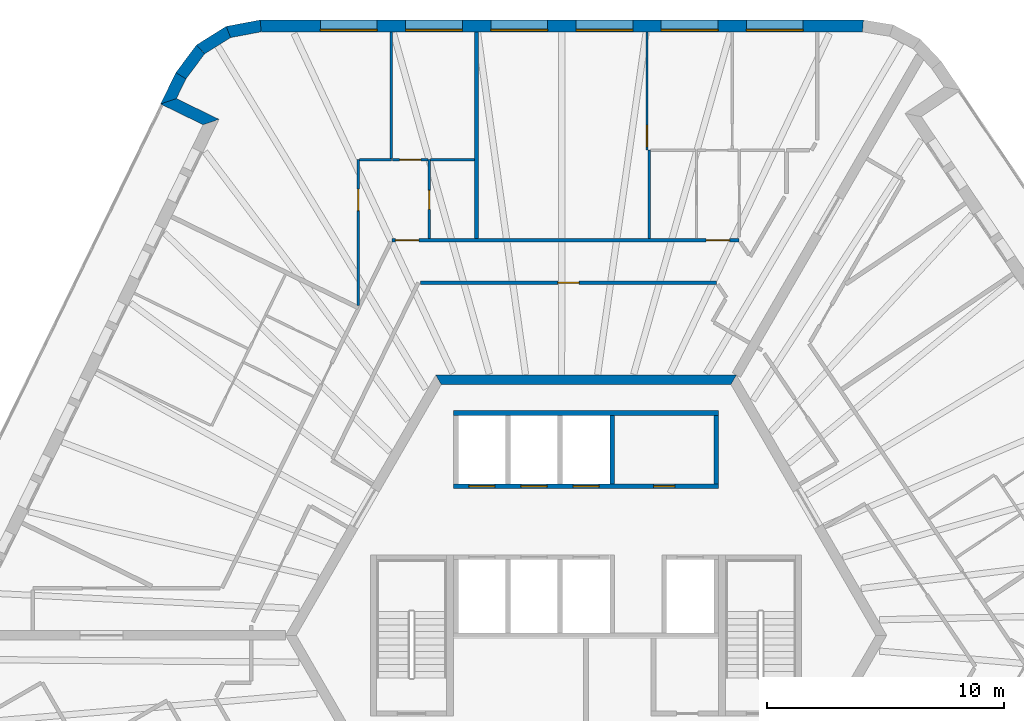
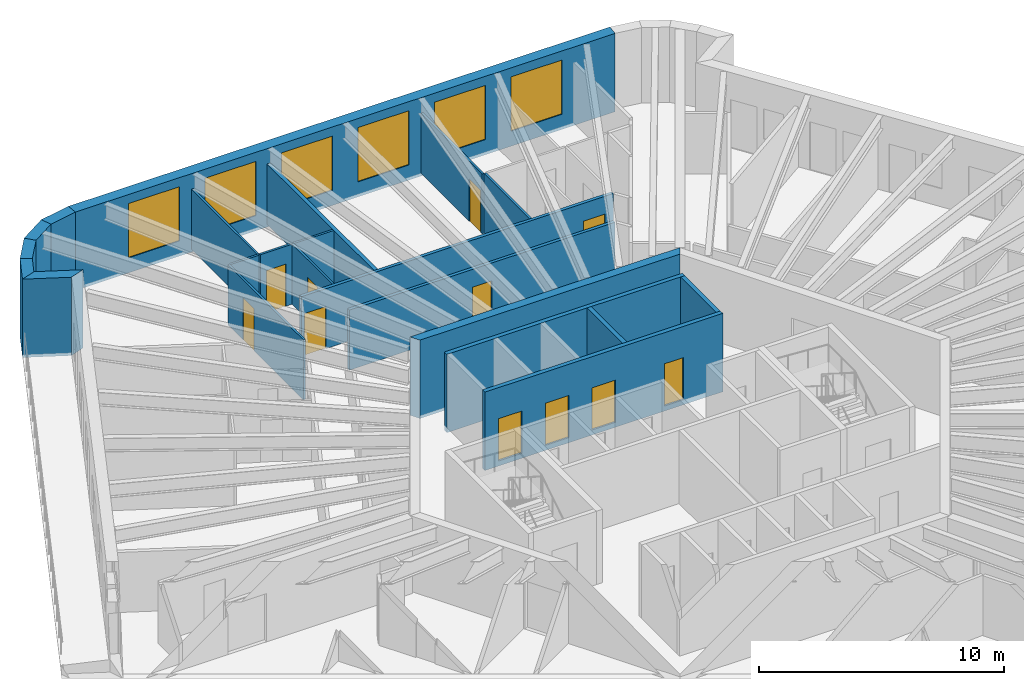
# One storey, part 9 of 12: 22 walls, 11 doors, 6 windows, 17 openings.
"""IFC4 building model written with IfcOpenShell, lengths in metres."""

from ifc_helpers import new_model, si_unit, direction, frame, frame_2d, origin, place, context, subcontext, project, spatial, polyline, rectangle, outline, extrude, material, layer, layer_set, type_object, element, fill, save


model = new_model("IFC4")

# Units and contexts
model_context = context("Model", 3, precision=1e-05, world=origin(), true_north=direction((0.0, 1.0)))
body_context = subcontext(model_context, "Body", "Model", "MODEL_VIEW")
ifc_project = project(units=[si_unit("LENGTHUNIT", "METRE"), si_unit("AREAUNIT", "SQUARE_METRE"), si_unit("VOLUMEUNIT", "CUBIC_METRE"), si_unit("PLANEANGLEUNIT", "RADIAN"), si_unit("MASSUNIT", "GRAM", prefix="KILO")], contexts=[model_context])

# Site, building, storey
site_placement = place(None, origin())
site = spatial("IfcSite", under=ifc_project, at=site_placement, CompositionType="ELEMENT")
building_placement = place(site_placement, origin())
building = spatial("IfcBuilding", under=site, at=building_placement, Name="Tarnside Tower", CompositionType="ELEMENT")
storey_placement = place(building_placement, frame((0.0, 0.0, 318.60009765625)))
storey = spatial("IfcBuildingStorey", under=building, at=storey_placement, Name="L77", CompositionType="ELEMENT", Elevation=318.60009765625)

# Wall
ifc_material_1 = material(Name="Gypsum board partition on steel studs", Category="steel")
ifc_layer_1 = layer(ifc_material_1, 0.10009765625)
ifc_layer_set_1 = layer_set([ifc_layer_1], Name="Bathroom wall 100")
wall_type_1 = type_object("IfcWallType", Name="Bathroom wall 100", PredefinedType="PARTITIONING", material=ifc_layer_set_1)
wall_1_placement = place(storey_placement, frame((2.6669921875, 16.77490234375, 0.0), z_axis=(0.0, 0.0, 1.0), x_axis=(0.0, 1.0, 0.0)))
element("IfcWall", 1, at=wall_1_placement, inside=storey, type_object=wall_type_1, Name="Bathroom wall 25085", PredefinedType="PARTITIONING", context=body_context, shape_type="SweptSolid", body=[
    extrude(rectangle(XDim=3.72509765625, YDim=0.10009765625, at=frame_2d((1.862548828125, 0.0))), origin(), (0.0, 0.0, 1.0), 2.98779296875),
])

# Wall, opening, door
wall_2_placement = place(storey_placement, frame((-6.624755859375, 16.77490234375, 0.0), z_axis=(0.0, 0.0, 1.0), x_axis=(0.0, 1.0, 0.0)))
wall_2 = element("IfcWall", 2, at=wall_2_placement, inside=storey, type_object=wall_type_1, Name="Bathroom wall 25101", PredefinedType="PARTITIONING", context=body_context, shape_type="SweptSolid", body=[
    extrude(rectangle(XDim=3.3251953125, YDim=0.10009765625, at=frame_2d((1.66259765625, 0.0))), origin(), (0.0, 0.0, 1.0), 2.98779296875),
])
opening_1_placement = place(wall_2_placement, frame((1.22509765625, 0.0, 0.0)))
opening_1 = element("IfcOpeningElement", 3, at=opening_1_placement, cuts=wall_2, Name="Opening D-B1", PredefinedType="OPENING", context=body_context, shape_type="SweptSolid", body=[
    extrude(rectangle(XDim=0.800048828125, YDim=2.10009765625, at=frame_2d((0.39990234375, 1.050048828125))), frame((0.0, 0.06005859375, 0.0), z_axis=(0.0, -1.0, 0.0), x_axis=(1.0, 0.0, 0.0)), (0.0, 0.0, 1.0), 0.1201171875),
])
ifc_material_2 = material(Name="Timber door leaf", Category="wood")
door_type_1 = type_object("IfcDoorType", Name="Bathroom door 800", OperationType="NOTDEFINED", PredefinedType="DOOR", material=ifc_material_2)
door_1_placement = place(opening_1_placement, origin())
door_1 = element("IfcDoor", 4, at=door_1_placement, inside=storey, type_object=door_type_1, Name="Bathroom door 25013", OperationType="SINGLE_SWING_RIGHT", OverallHeight=2.10009765625, OverallWidth=0.800048828125, PredefinedType="DOOR", context=body_context, shape_type="SweptSolid", body=[
    extrude(rectangle(XDim=0.800048828125, YDim=2.10009765625, at=frame_2d((0.39990234375, 1.050048828125))), frame((0.0, 0.02490234375, 0.0), z_axis=(0.0, -1.0, 0.0), x_axis=(1.0, 0.0, 0.0)), (0.0, 0.0, 1.0), 0.050048828125),
])
fill(opening_1, door_1)

# Walls
wall_3_placement = place(storey_placement, frame((-4.71484375, 20.10009765625, 0.0), z_axis=(0.0, 0.0, 1.0), x_axis=(-1.0, 0.0, 0.0)))
element("IfcWall", 5, at=wall_3_placement, inside=storey, type_object=wall_type_1, Name="Bathroom wall 25103", PredefinedType="PARTITIONING", context=body_context, shape_type="SweptSolid", body=[
    extrude(rectangle(XDim=1.862060546875, YDim=0.10009765625, at=frame_2d((0.93115234375, 0.0))), origin(), (0.0, 0.0, 1.0), 2.98779296875),
])
ifc_material_3 = material(Name="Concrete C60/75", Category="concrete")
ifc_layer_2 = layer(ifc_material_3, 0.39990234375)
ifc_layer_set_2 = layer_set([ifc_layer_2], Name="Core wall Z3 400 C60/75")
wall_type_2 = type_object("IfcWallType", Name="Core wall Z3 400 C60/75", PredefinedType="SHEAR", material=ifc_layer_set_2)
wall_4_placement = place(storey_placement, frame((6.2353515625, 10.800048828125, -0.150146484375), z_axis=(0.0, 0.0, 1.0), x_axis=(-1.0, 0.0, 0.0)))
element("IfcWall", 6, at=wall_4_placement, inside=storey, type_object=wall_type_2, Name="L77 core wall face 1", PredefinedType="SHEAR", context=body_context, shape_type="SweptSolid", body=[
    extrude(outline(polyline([(-0.115478515625, -0.199951171875), (12.586181640625, -0.199951171875), (12.355224609375, 0.199951171875), (0.115478515625, 0.199951171875), (-0.115478515625, -0.199951171875)])), origin(), (0.0, 0.0, 1.0), 3.900146484375),
])

# Wall, openings, doors
ifc_layer_3 = layer(ifc_material_1, 0.14990234375)
ifc_layer_set_3 = layer_set([ifc_layer_3], Name="Corridor wall 150 EI 60")
wall_type_3 = type_object("IfcWallType", Name="Corridor wall 150 EI 60", PredefinedType="PARTITIONING", material=ifc_layer_set_3)
wall_5_placement = place(storey_placement, frame((6.467041015625, 16.699951171875, 0.0), z_axis=(0.0, 0.0, 1.0), x_axis=(-1.0, 0.0, 0.0)))
wall_5 = element("IfcWall", 7, at=wall_5_placement, inside=storey, type_object=wall_type_3, Name="Corridor wall 25001", PredefinedType="PARTITIONING", context=body_context, shape_type="SweptSolid", body=[
    extrude(rectangle(XDim=14.67724609375, YDim=0.14990234375, at=frame_2d((7.338623046875, 0.0))), origin(), (0.0, 0.0, 1.0), 2.98779296875),
])
opening_2_placement = place(wall_5_placement, frame((0.39990234375, 0.0, 0.0)))
opening_2 = element("IfcOpeningElement", 8, at=opening_2_placement, cuts=wall_5, Name="Opening D-E1", PredefinedType="OPENING", context=body_context, shape_type="SweptSolid", body=[
    extrude(rectangle(XDim=1.0, YDim=2.10009765625, at=frame_2d((0.5, 1.050048828125))), frame((0.0, 0.0849609375, 0.0), z_axis=(0.0, -1.0, 0.0), x_axis=(1.0, 0.0, 0.0)), (0.0, 0.0, 1.0), 0.169921875),
])
opening_3_placement = place(wall_5_placement, frame((13.527099609375, 0.0, 0.0)))
opening_3 = element("IfcOpeningElement", 9, at=opening_3_placement, cuts=wall_5, Name="Opening D-E1", PredefinedType="OPENING", context=body_context, shape_type="SweptSolid", body=[
    extrude(rectangle(XDim=1.0, YDim=2.10009765625, at=frame_2d((0.5, 1.050048828125))), frame((0.0, 0.0849609375, 0.0), z_axis=(0.0, -1.0, 0.0), x_axis=(1.0, 0.0, 0.0)), (0.0, 0.0, 1.0), 0.169921875),
])
door_type_2 = type_object("IfcDoorType", Name="Unit entrance door 1000 FD30S", OperationType="NOTDEFINED", PredefinedType="DOOR", material=ifc_material_2)
door_2_placement = place(opening_2_placement, origin())
door_2 = element("IfcDoor", 10, at=door_2_placement, inside=storey, type_object=door_type_2, Name="Unit door 25001", OperationType="SINGLE_SWING_RIGHT", OverallHeight=2.10009765625, OverallWidth=1.0, PredefinedType="DOOR", context=body_context, shape_type="SweptSolid", body=[
    extrude(rectangle(XDim=1.0, YDim=2.10009765625, at=frame_2d((0.5, 1.050048828125))), frame((0.0, 0.02490234375, 0.0), z_axis=(0.0, -1.0, 0.0), x_axis=(1.0, 0.0, 0.0)), (0.0, 0.0, 1.0), 0.050048828125),
])
fill(opening_2, door_2)
door_3_placement = place(opening_3_placement, origin())
door_3 = element("IfcDoor", 11, at=door_3_placement, inside=storey, type_object=door_type_2, Name="Unit door 25012", OperationType="SINGLE_SWING_LEFT", OverallHeight=2.10009765625, OverallWidth=1.0, PredefinedType="DOOR", context=body_context, shape_type="SweptSolid", body=[
    extrude(rectangle(XDim=1.0, YDim=2.10009765625, at=frame_2d((0.5, 1.050048828125))), frame((0.0, 0.02490234375, 0.0), z_axis=(0.0, -1.0, 0.0), x_axis=(1.0, 0.0, 0.0)), (0.0, 0.0, 1.0), 0.050048828125),
])
fill(opening_3, door_3)

# Wall, opening, door
wall_6_placement = place(storey_placement, frame((-7.001953125, 14.89990234375, 0.0), z_axis=(0.0, 0.0, 1.0), x_axis=(1.0, 0.0, 0.0)))
wall_6 = element("IfcWall", 12, at=wall_6_placement, inside=storey, type_object=wall_type_3, Name="Corridor wall 25021", PredefinedType="PARTITIONING", context=body_context, shape_type="SweptSolid", body=[
    extrude(rectangle(XDim=12.511962890625, YDim=0.14990234375, at=frame_2d((6.255859375, 0.0))), origin(), (0.0, 0.0, 1.0), 2.98779296875),
])
opening_4_placement = place(wall_6_placement, frame((5.805908203125, 0.0, 0.0)))
opening_4 = element("IfcOpeningElement", 13, at=opening_4_placement, cuts=wall_6, Name="Opening D-S1", PredefinedType="OPENING", context=body_context, shape_type="SweptSolid", body=[
    extrude(rectangle(XDim=0.89990234375, YDim=2.10009765625, at=frame_2d((0.449951171875, 1.050048828125))), frame((0.0, 0.0849609375, 0.0), z_axis=(0.0, -1.0, 0.0), x_axis=(1.0, 0.0, 0.0)), (0.0, 0.0, 1.0), 0.169921875),
])
door_type_3 = type_object("IfcDoorType", Name="Service room door 900 FD30S", OperationType="NOTDEFINED", PredefinedType="DOOR", material=ifc_material_2)
door_4_placement = place(opening_4_placement, origin())
door_4 = element("IfcDoor", 14, at=door_4_placement, inside=storey, type_object=door_type_3, Name="Service door 25071", OperationType="SINGLE_SWING_LEFT", OverallHeight=2.10009765625, OverallWidth=0.89990234375, PredefinedType="DOOR", context=body_context, shape_type="SweptSolid", body=[
    extrude(rectangle(XDim=0.89990234375, YDim=2.10009765625, at=frame_2d((0.449951171875, 1.050048828125))), frame((0.0, 0.02490234375, 0.0), z_axis=(0.0, -1.0, 0.0), x_axis=(1.0, 0.0, 0.0)), (0.0, 0.0, 1.0), 0.050048828125),
])
fill(opening_4, door_4)

# Wall
ifc_layer_4 = layer(ifc_material_1, 0.179931640625)
ifc_layer_set_4 = layer_set([ifc_layer_4], Name="Demising wall 180 EI 60")
wall_type_4 = type_object("IfcWallType", Name="Demising wall 180 EI 60", PredefinedType="PARTITIONING", material=ifc_layer_set_4)
wall_7_placement = place(storey_placement, frame((-4.624755859375, 25.5, 0.0), z_axis=(0.0, 0.0, 1.0), x_axis=(0.0, -1.0, 0.0)))
element("IfcWall", 15, at=wall_7_placement, inside=storey, type_object=wall_type_4, Name="Demising wall 25087", PredefinedType="PARTITIONING", context=body_context, shape_type="SweptSolid", body=[
    extrude(rectangle(XDim=8.72509765625, YDim=0.179931640625, at=frame_2d((4.362548828125, 0.0))), origin(), (0.0, 0.0, 1.0), 2.98779296875),
])

# Wall, openings, doors
ifc_material_4 = material(Name="Concrete C40/50", Category="concrete")
ifc_layer_5 = layer(ifc_material_4, 0.199951171875)
ifc_layer_set_5 = layer_set([ifc_layer_5], Name="Lift shaft wall 200 C40/50")
wall_type_5 = type_object("IfcWallType", Name="Lift shaft wall 200 C40/50", PredefinedType="SHEAR", material=ifc_layer_set_5)
wall_8_placement = place(storey_placement, frame((-5.60009765625, 6.300048828125, -0.25), z_axis=(0.0, 0.0, 1.0), x_axis=(1.0, 0.0, 0.0)))
wall_8 = element("IfcWall", 16, at=wall_8_placement, inside=storey, type_object=wall_type_5, Name="L77 lift shaft front wall R1", PredefinedType="SHEAR", context=body_context, shape_type="SweptSolid", body=[
    extrude(rectangle(XDim=11.2001953125, YDim=0.199951171875, at=frame_2d((5.60009765625, 0.0))), origin(), (0.0, 0.0, 1.0), 3.89990234375),
])
opening_5_placement = place(wall_8_placement, frame((8.449951171875, 0.0, 0.25)))
opening_5 = element("IfcOpeningElement", 17, at=opening_5_placement, cuts=wall_8, Name="Opening CD-room", PredefinedType="OPENING", context=body_context, shape_type="SweptSolid", body=[
    extrude(rectangle(XDim=0.89990234375, YDim=2.10009765625, at=frame_2d((0.449951171875, 1.050048828125))), frame((0.0, 0.10986328125, 0.0), z_axis=(0.0, -1.0, 0.0), x_axis=(1.0, 0.0, 0.0)), (0.0, 0.0, 1.0), 0.219970703125),
])
opening_6_placement = place(wall_8_placement, frame((0.64990234375, 0.0, 0.25)))
opening_6 = element("IfcOpeningElement", 18, at=opening_6_placement, cuts=wall_8, Name="Opening LD", PredefinedType="OPENING", context=body_context, shape_type="SweptSolid", body=[
    extrude(rectangle(XDim=1.10009765625, YDim=2.10009765625, at=frame_2d((0.550048828125, 1.050048828125))), frame((0.0, 0.10986328125, 0.0), z_axis=(0.0, -1.0, 0.0), x_axis=(1.0, 0.0, 0.0)), (0.0, 0.0, 1.0), 0.219970703125),
])
opening_7_placement = place(wall_8_placement, frame((2.85009765625, 0.0, 0.25)))
opening_7 = element("IfcOpeningElement", 19, at=opening_7_placement, cuts=wall_8, Name="Opening LD", PredefinedType="OPENING", context=body_context, shape_type="SweptSolid", body=[
    extrude(rectangle(XDim=1.10009765625, YDim=2.10009765625, at=frame_2d((0.550048828125, 1.050048828125))), frame((0.0, 0.10986328125, 0.0), z_axis=(0.0, -1.0, 0.0), x_axis=(1.0, 0.0, 0.0)), (0.0, 0.0, 1.0), 0.219970703125),
])
opening_8_placement = place(wall_8_placement, frame((5.050048828125, 0.0, 0.25)))
opening_8 = element("IfcOpeningElement", 20, at=opening_8_placement, cuts=wall_8, Name="Opening LD", PredefinedType="OPENING", context=body_context, shape_type="SweptSolid", body=[
    extrude(rectangle(XDim=1.10009765625, YDim=2.10009765625, at=frame_2d((0.550048828125, 1.050048828125))), frame((0.0, 0.10986328125, 0.0), z_axis=(0.0, -1.0, 0.0), x_axis=(1.0, 0.0, 0.0)), (0.0, 0.0, 1.0), 0.219970703125),
])
ifc_material_5 = material(Name="Stainless steel", Category="steel")
door_type_4 = type_object("IfcDoorType", Name="Lift landing door 1100x2100", OperationType="NOTDEFINED", PredefinedType="DOOR", material=ifc_material_5)
door_5_placement = place(opening_6_placement, origin())
door_5 = element("IfcDoor", 21, at=door_5_placement, inside=storey, type_object=door_type_4, Name="High-rise lift 1 landing door L77", OperationType="SLIDING_TO_LEFT", OverallHeight=2.10009765625, OverallWidth=1.10009765625, PredefinedType="DOOR", context=body_context, shape_type="SweptSolid", body=[
    extrude(rectangle(XDim=1.10009765625, YDim=2.10009765625, at=frame_2d((0.550048828125, 1.050048828125))), frame((0.0, 0.02490234375, 0.0), z_axis=(0.0, -1.0, 0.0), x_axis=(1.0, 0.0, 0.0)), (0.0, 0.0, 1.0), 0.050048828125),
])
fill(opening_6, door_5)
door_6_placement = place(opening_7_placement, origin())
door_6 = element("IfcDoor", 22, at=door_6_placement, inside=storey, type_object=door_type_4, Name="High-rise lift 2 landing door L77", OperationType="SLIDING_TO_LEFT", OverallHeight=2.10009765625, OverallWidth=1.10009765625, PredefinedType="DOOR", context=body_context, shape_type="SweptSolid", body=[
    extrude(rectangle(XDim=1.10009765625, YDim=2.10009765625, at=frame_2d((0.550048828125, 1.050048828125))), frame((0.0, 0.02490234375, 0.0), z_axis=(0.0, -1.0, 0.0), x_axis=(1.0, 0.0, 0.0)), (0.0, 0.0, 1.0), 0.050048828125),
])
fill(opening_7, door_6)
door_7_placement = place(opening_8_placement, origin())
door_7 = element("IfcDoor", 23, at=door_7_placement, inside=storey, type_object=door_type_4, Name="High-rise lift 3 landing door L77", OperationType="SLIDING_TO_LEFT", OverallHeight=2.10009765625, OverallWidth=1.10009765625, PredefinedType="DOOR", context=body_context, shape_type="SweptSolid", body=[
    extrude(rectangle(XDim=1.10009765625, YDim=2.10009765625, at=frame_2d((0.550048828125, 1.050048828125))), frame((0.0, 0.02490234375, 0.0), z_axis=(0.0, -1.0, 0.0), x_axis=(1.0, 0.0, 0.0)), (0.0, 0.0, 1.0), 0.050048828125),
])
fill(opening_8, door_7)
ifc_material_6 = material(Name="Steel fire door", Category="steel")
door_type_5 = type_object("IfcDoorType", Name="Room door FD60 900x2100", OperationType="NOTDEFINED", PredefinedType="DOOR", material=ifc_material_6)
door_8_placement = place(opening_5_placement, origin())
door_8 = element("IfcDoor", 24, at=door_8_placement, inside=storey, type_object=door_type_5, Name="L77 core room door FC1", OperationType="SINGLE_SWING_LEFT", OverallHeight=2.10009765625, OverallWidth=0.89990234375, PredefinedType="DOOR", context=body_context, shape_type="SweptSolid", body=[
    extrude(rectangle(XDim=0.89990234375, YDim=2.10009765625, at=frame_2d((0.449951171875, 1.050048828125))), frame((0.0, 0.02490234375, 0.0), z_axis=(0.0, -1.0, 0.0), x_axis=(1.0, 0.0, 0.0)), (0.0, 0.0, 1.0), 0.050048828125),
])
fill(opening_5, door_8)

# Walls
wall_9_placement = place(storey_placement, frame((-5.60009765625, 9.39990234375, -0.25), z_axis=(0.0, 0.0, 1.0), x_axis=(1.0, 0.0, 0.0)))
element("IfcWall", 25, at=wall_9_placement, inside=storey, type_object=wall_type_5, Name="L77 lift shaft back wall R1", PredefinedType="SHEAR", context=body_context, shape_type="SweptSolid", body=[
    extrude(rectangle(XDim=11.2001953125, YDim=0.199951171875, at=frame_2d((5.60009765625, 0.0))), origin(), (0.0, 0.0, 1.0), 3.89990234375),
])
for number, where, z_axis, x_axis, name in (
    (26, (1.10009765625, 6.39990234375, -0.25), (0.0, 0.0, 1.0), (0.0, 1.0, 0.0), "L77 lift shaft partition R14"),
    (27, (5.5, 6.39990234375, -0.25), (0.0, 0.0, 1.0), (0.0, 1.0, 0.0), "L77 lift shaft partition R16"),
):
    element("IfcWall", number, at=place(storey_placement, frame(where, z_axis=z_axis, x_axis=x_axis)), inside=storey, type_object=wall_type_5, Name=name, PredefinedType="SHEAR", context=body_context, shape_type="SweptSolid", body=[
        extrude(rectangle(XDim=2.900146484375, YDim=0.199951171875, at=frame_2d((1.4501953125, 0.0))), origin(), (0.0, 0.0, 1.0), 3.89990234375),
    ])
ifc_material_7 = material(Name="Dark zinc cladding")
ifc_layer_6 = layer(ifc_material_7, 0.10205078125)
ifc_material_8 = material(Name="Concrete C60/75 precast", Category="concrete")
ifc_layer_7 = layer(ifc_material_8, 0.298095703125)
ifc_material_9 = material(Name="Mineral wool insulation")
ifc_layer_8 = layer(ifc_material_9, 0.10009765625)
ifc_layer_set_6 = layer_set([ifc_layer_6, ifc_layer_7, ifc_layer_8], Name="Loggia wall 500 zinc faced")
wall_type_6 = type_object("IfcWallType", Name="Loggia wall 500 zinc faced", PredefinedType="SOLIDWALL", material=ifc_layer_set_6)
wall_10_placement = place(storey_placement, frame((-17.11767578125, 23.643798828125, -0.150146484375), z_axis=(0.0, 0.0, 1.0), x_axis=(-0.438319390103, -0.898819287877, 0.0)))
element("IfcWall", 28, at=wall_10_placement, inside=storey, type_object=wall_type_6, Name="Tube wall L77 F2 stub 04", PredefinedType="SOLIDWALL", context=body_context, shape_type="SweptSolid", body=[
    extrude(outline(polyline([(-0.0234375, -0.25), (1.44970703125, -0.25), (0.94970703125, 0.25), (0.0234375, 0.25), (-0.0234375, -0.25)])), origin(), (0.0, 0.0, 1.0), 3.900146484375),
])
wall_11_placement = place(storey_placement, frame((-17.6435546875, 22.5654296875, -0.150146484375), z_axis=(0.0, 0.0, 1.0), x_axis=(0.898754367686, -0.43845249066, 0.0)))
element("IfcWall", 29, at=wall_11_placement, inside=storey, type_object=wall_type_6, Name="Tube wall L77 F2 return 05", PredefinedType="SOLIDWALL", context=body_context, shape_type="SweptSolid", body=[
    extrude(outline(polyline([(-0.25, -0.25), (1.75, -0.25), (2.25, 0.25), (0.25, 0.25), (-0.25, -0.25)])), origin(), (0.0, 0.0, 1.0), 3.900146484375),
])

# Wall, opening, door
ifc_layer_9 = layer(ifc_material_1, 0.10009765625)
ifc_layer_set_7 = layer_set([ifc_layer_9], Name="Partition 100")
wall_type_7 = type_object("IfcWallType", Name="Partition 100", PredefinedType="PARTITIONING", material=ifc_layer_set_7)
wall_12_placement = place(storey_placement, frame((2.5751953125, 20.5, 0.0), z_axis=(0.0, 0.0, 1.0), x_axis=(0.0, 1.0, 0.0)))
wall_12 = element("IfcWall", 30, at=wall_12_placement, inside=storey, type_object=wall_type_7, Name="Partition wall 25086", PredefinedType="PARTITIONING", context=body_context, shape_type="SweptSolid", body=[
    extrude(rectangle(XDim=5.0, YDim=0.10009765625, at=frame_2d((2.5, 0.0))), origin(), (0.0, 0.0, 1.0), 2.98779296875),
])
opening_9_placement = place(wall_12_placement, frame((0.14990234375, 0.0, 0.0)))
opening_9 = element("IfcOpeningElement", 31, at=opening_9_placement, cuts=wall_12, Name="Opening D-I1", PredefinedType="OPENING", context=body_context, shape_type="SweptSolid", body=[
    extrude(rectangle(XDim=0.89990234375, YDim=2.10009765625, at=frame_2d((0.449951171875, 1.050048828125))), frame((0.0, 0.06005859375, 0.0), z_axis=(0.0, -1.0, 0.0), x_axis=(1.0, 0.0, 0.0)), (0.0, 0.0, 1.0), 0.1201171875),
])
door_type_6 = type_object("IfcDoorType", Name="Internal door 900", OperationType="NOTDEFINED", PredefinedType="DOOR", material=ifc_material_2)
door_9_placement = place(opening_9_placement, origin())
door_9 = element("IfcDoor", 32, at=door_9_placement, inside=storey, type_object=door_type_6, Name="Internal door 25010", OperationType="SINGLE_SWING_RIGHT", OverallHeight=2.10009765625, OverallWidth=0.89990234375, PredefinedType="DOOR", context=body_context, shape_type="SweptSolid", body=[
    extrude(rectangle(XDim=0.89990234375, YDim=2.10009765625, at=frame_2d((0.449951171875, 1.050048828125))), frame((0.0, 0.02490234375, 0.0), z_axis=(0.0, -1.0, 0.0), x_axis=(1.0, 0.0, 0.0)), (0.0, 0.0, 1.0), 0.050048828125),
])
fill(opening_9, door_9)

wall_13_placement = place(storey_placement, frame((-9.624755859375, 13.9453125, 0.0), z_axis=(0.0, 0.0, 1.0), x_axis=(0.0, 1.0, 0.0)))
wall_13 = element("IfcWall", 33, at=wall_13_placement, inside=storey, type_object=wall_type_7, Name="Partition wall 25096", PredefinedType="PARTITIONING", context=body_context, shape_type="SweptSolid", body=[
    extrude(rectangle(XDim=6.15478515625, YDim=0.10009765625, at=frame_2d((3.077392578125, 0.0))), origin(), (0.0, 0.0, 1.0), 2.98779296875),
])
opening_10_placement = place(wall_13_placement, frame((4.004638671875, 0.0, 0.0)))
opening_10 = element("IfcOpeningElement", 34, at=opening_10_placement, cuts=wall_13, Name="Opening D-I1", PredefinedType="OPENING", context=body_context, shape_type="SweptSolid", body=[
    extrude(rectangle(XDim=0.89990234375, YDim=2.10009765625, at=frame_2d((0.449951171875, 1.050048828125))), frame((0.0, 0.06005859375, 0.0), z_axis=(0.0, -1.0, 0.0), x_axis=(1.0, 0.0, 0.0)), (0.0, 0.0, 1.0), 0.1201171875),
])
door_10_placement = place(opening_10_placement, origin())
door_10 = element("IfcDoor", 35, at=door_10_placement, inside=storey, type_object=door_type_6, Name="Internal door 25014", OperationType="SINGLE_SWING_LEFT", OverallHeight=2.10009765625, OverallWidth=0.89990234375, PredefinedType="DOOR", context=body_context, shape_type="SweptSolid", body=[
    extrude(rectangle(XDim=0.89990234375, YDim=2.10009765625, at=frame_2d((0.449951171875, 1.050048828125))), frame((0.0, 0.02490234375, 0.0), z_axis=(0.0, -1.0, 0.0), x_axis=(1.0, 0.0, 0.0)), (0.0, 0.0, 1.0), 0.050048828125),
])
fill(opening_10, door_10)

# Walls
wall_14_placement = place(storey_placement, frame((-9.57470703125, 20.10009765625, 0.0), z_axis=(0.0, 0.0, 1.0), x_axis=(1.0, 0.0, 0.0)))
element("IfcWall", 36, at=wall_14_placement, inside=storey, type_object=wall_type_7, Name="Partition wall 25097", PredefinedType="PARTITIONING", context=body_context, shape_type="SweptSolid", body=[
    extrude(rectangle(XDim=1.351806640625, YDim=0.10009765625, at=frame_2d((0.67578125, 0.0))), origin(), (0.0, 0.0, 1.0), 2.98779296875),
])
wall_15_placement = place(storey_placement, frame((-8.224853515625, 20.14990234375, 0.0), z_axis=(0.0, 0.0, 1.0), x_axis=(0.0, 1.0, 0.0)))
element("IfcWall", 37, at=wall_15_placement, inside=storey, type_object=wall_type_7, Name="Partition wall 25098", PredefinedType="PARTITIONING", context=body_context, shape_type="SweptSolid", body=[
    extrude(rectangle(XDim=5.35009765625, YDim=0.10009765625, at=frame_2d((2.675048828125, 0.0))), origin(), (0.0, 0.0, 1.0), 2.98779296875),
])

# Wall, opening, door
wall_16_placement = place(storey_placement, frame((-6.6728515625, 20.10009765625, 0.0), z_axis=(0.0, 0.0, 1.0), x_axis=(-1.0, 0.0, 0.0)))
wall_16 = element("IfcWall", 38, at=wall_16_placement, inside=storey, type_object=wall_type_7, Name="Partition wall 25102", PredefinedType="PARTITIONING", context=body_context, shape_type="SweptSolid", body=[
    extrude(rectangle(XDim=1.501953125, YDim=0.10009765625, at=frame_2d((0.7509765625, 0.0))), origin(), (0.0, 0.0, 1.0), 2.98779296875),
])
opening_11_placement = place(wall_16_placement, frame((0.302001953125, 0.0, 0.0)))
opening_11 = element("IfcOpeningElement", 39, at=opening_11_placement, cuts=wall_16, Name="Opening D-I1", PredefinedType="OPENING", context=body_context, shape_type="SweptSolid", body=[
    extrude(rectangle(XDim=0.89990234375, YDim=2.10009765625, at=frame_2d((0.449951171875, 1.050048828125))), frame((0.0, 0.06005859375, 0.0), z_axis=(0.0, -1.0, 0.0), x_axis=(1.0, 0.0, 0.0)), (0.0, 0.0, 1.0), 0.1201171875),
])
door_11_placement = place(opening_11_placement, origin())
door_11 = element("IfcDoor", 40, at=door_11_placement, inside=storey, type_object=door_type_6, Name="Internal door 25015", OperationType="SINGLE_SWING_RIGHT", OverallHeight=2.10009765625, OverallWidth=0.89990234375, PredefinedType="DOOR", context=body_context, shape_type="SweptSolid", body=[
    extrude(rectangle(XDim=0.89990234375, YDim=2.10009765625, at=frame_2d((0.449951171875, 1.050048828125))), frame((0.0, 0.02490234375, 0.0), z_axis=(0.0, -1.0, 0.0), x_axis=(1.0, 0.0, 0.0)), (0.0, 0.0, 1.0), 0.050048828125),
])
fill(opening_11, door_11)

# Wall, openings, windows
ifc_material_10 = material(Name="Facing brick", Category="masonry")
ifc_layer_10 = layer(ifc_material_10, 0.10205078125)
ifc_layer_11 = layer(ifc_material_8, 0.298095703125)
ifc_layer_12 = layer(ifc_material_9, 0.10009765625)
ifc_layer_set_8 = layer_set([ifc_layer_10, ifc_layer_11, ifc_layer_12], Name="Tube wall 500 brick faced")
wall_type_8 = type_object("IfcWallType", Name="Tube wall 500 brick faced", PredefinedType="SOLIDWALL", material=ifc_layer_set_8)
wall_17_placement = place(storey_placement, frame((11.697509765625, 25.75, -0.150146484375), z_axis=(0.0, 0.0, 1.0), x_axis=(-1.0, 0.0, 0.0)))
wall_17 = element("IfcWall", 41, at=wall_17_placement, inside=storey, type_object=wall_type_8, Name="Tube wall L77 F1 flush 00", PredefinedType="SOLIDWALL", context=body_context, shape_type="SweptSolid", body=[
    extrude(outline(polyline([(-0.0205078125, -0.25), (25.468017578125, -0.25), (25.421142578125, 0.25), (0.0205078125, 0.25), (-0.0205078125, -0.25)])), origin(), (0.0, 0.0, 1.0), 3.900146484375),
])
opening_12_placement = place(wall_17_placement, frame((2.5224609375, 0.0, 0.75)))
opening_12 = element("IfcOpeningElement", 42, at=opening_12_placement, cuts=wall_17, Name="Opening WR", PredefinedType="OPENING", context=body_context, shape_type="SweptSolid", body=[
    extrude(rectangle(XDim=2.39990234375, YDim=2.699951171875, at=frame_2d((1.199951171875, 1.35009765625))), frame((0.0, 0.260009765625, 0.0), z_axis=(0.0, -1.0, 0.0), x_axis=(1.0, 0.0, 0.0)), (0.0, 0.0, 1.0), 0.52001953125),
])
opening_13_placement = place(wall_17_placement, frame((6.122314453125, 0.0, 0.75)))
opening_13 = element("IfcOpeningElement", 43, at=opening_13_placement, cuts=wall_17, Name="Opening WR", PredefinedType="OPENING", context=body_context, shape_type="SweptSolid", body=[
    extrude(rectangle(XDim=2.39990234375, YDim=2.699951171875, at=frame_2d((1.199951171875, 1.35009765625))), frame((0.0, 0.260009765625, 0.0), z_axis=(0.0, -1.0, 0.0), x_axis=(1.0, 0.0, 0.0)), (0.0, 0.0, 1.0), 0.52001953125),
])
opening_14_placement = place(wall_17_placement, frame((9.722412109375, 0.0, 0.75)))
opening_14 = element("IfcOpeningElement", 44, at=opening_14_placement, cuts=wall_17, Name="Opening WR", PredefinedType="OPENING", context=body_context, shape_type="SweptSolid", body=[
    extrude(rectangle(XDim=2.39990234375, YDim=2.699951171875, at=frame_2d((1.199951171875, 1.35009765625))), frame((0.0, 0.260009765625, 0.0), z_axis=(0.0, -1.0, 0.0), x_axis=(1.0, 0.0, 0.0)), (0.0, 0.0, 1.0), 0.52001953125),
])
opening_15_placement = place(wall_17_placement, frame((13.322509765625, 0.0, 0.75)))
opening_15 = element("IfcOpeningElement", 45, at=opening_15_placement, cuts=wall_17, Name="Opening WR", PredefinedType="OPENING", context=body_context, shape_type="SweptSolid", body=[
    extrude(rectangle(XDim=2.39990234375, YDim=2.699951171875, at=frame_2d((1.199951171875, 1.35009765625))), frame((0.0, 0.260009765625, 0.0), z_axis=(0.0, -1.0, 0.0), x_axis=(1.0, 0.0, 0.0)), (0.0, 0.0, 1.0), 0.52001953125),
])
opening_16_placement = place(wall_17_placement, frame((16.92236328125, 0.0, 0.75)))
opening_16 = element("IfcOpeningElement", 46, at=opening_16_placement, cuts=wall_17, Name="Opening WR", PredefinedType="OPENING", context=body_context, shape_type="SweptSolid", body=[
    extrude(rectangle(XDim=2.39990234375, YDim=2.699951171875, at=frame_2d((1.199951171875, 1.35009765625))), frame((0.0, 0.260009765625, 0.0), z_axis=(0.0, -1.0, 0.0), x_axis=(1.0, 0.0, 0.0)), (0.0, 0.0, 1.0), 0.52001953125),
])
opening_17_placement = place(wall_17_placement, frame((20.5224609375, 0.0, 0.75)))
opening_17 = element("IfcOpeningElement", 47, at=opening_17_placement, cuts=wall_17, Name="Opening WR", PredefinedType="OPENING", context=body_context, shape_type="SweptSolid", body=[
    extrude(rectangle(XDim=2.39990234375, YDim=2.699951171875, at=frame_2d((1.199951171875, 1.35009765625))), frame((0.0, 0.260009765625, 0.0), z_axis=(0.0, -1.0, 0.0), x_axis=(1.0, 0.0, 0.0)), (0.0, 0.0, 1.0), 0.52001953125),
])
ifc_material_11 = material(Name="Aluminium-framed double glazing", Category="aluminium")
window_type = type_object("IfcWindowType", Name="Residence window 2400 x 2700", PartitioningType="DOUBLE_PANEL_VERTICAL", PredefinedType="WINDOW", material=ifc_material_11)
window_1_placement = place(opening_12_placement, frame((0.0, 0.179931640625, 0.0)))
window_1 = element("IfcWindow", 48, at=window_1_placement, inside=storey, type_object=window_type, Name="E.WN.L77.F1.00", OverallHeight=2.699951171875, OverallWidth=2.39990234375, PartitioningType="DOUBLE_PANEL_VERTICAL", PredefinedType="WINDOW", context=body_context, shape_type="SweptSolid", body=[
    extrude(rectangle(XDim=2.39990234375, YDim=2.699951171875, at=frame_2d((1.199951171875, 1.35009765625))), frame((0.0, 0.030029296875, 0.0), z_axis=(0.0, -1.0, 0.0), x_axis=(1.0, 0.0, 0.0)), (0.0, 0.0, 1.0), 0.06005859375),
])
fill(opening_12, window_1)
window_2_placement = place(opening_13_placement, frame((0.0, 0.179931640625, 0.0)))
window_2 = element("IfcWindow", 49, at=window_2_placement, inside=storey, type_object=window_type, Name="E.WN.L77.F1.01", OverallHeight=2.699951171875, OverallWidth=2.39990234375, PartitioningType="DOUBLE_PANEL_VERTICAL", PredefinedType="WINDOW", context=body_context, shape_type="SweptSolid", body=[
    extrude(rectangle(XDim=2.39990234375, YDim=2.699951171875, at=frame_2d((1.199951171875, 1.35009765625))), frame((0.0, 0.030029296875, 0.0), z_axis=(0.0, -1.0, 0.0), x_axis=(1.0, 0.0, 0.0)), (0.0, 0.0, 1.0), 0.06005859375),
])
fill(opening_13, window_2)
window_3_placement = place(opening_14_placement, frame((0.0, 0.179931640625, 0.0)))
window_3 = element("IfcWindow", 50, at=window_3_placement, inside=storey, type_object=window_type, Name="E.WN.L77.F1.02", OverallHeight=2.699951171875, OverallWidth=2.39990234375, PartitioningType="DOUBLE_PANEL_VERTICAL", PredefinedType="WINDOW", context=body_context, shape_type="SweptSolid", body=[
    extrude(rectangle(XDim=2.39990234375, YDim=2.699951171875, at=frame_2d((1.199951171875, 1.35009765625))), frame((0.0, 0.030029296875, 0.0), z_axis=(0.0, -1.0, 0.0), x_axis=(1.0, 0.0, 0.0)), (0.0, 0.0, 1.0), 0.06005859375),
])
fill(opening_14, window_3)
window_4_placement = place(opening_15_placement, frame((0.0, 0.179931640625, 0.0)))
window_4 = element("IfcWindow", 51, at=window_4_placement, inside=storey, type_object=window_type, Name="E.WN.L77.F1.03", OverallHeight=2.699951171875, OverallWidth=2.39990234375, PartitioningType="DOUBLE_PANEL_VERTICAL", PredefinedType="WINDOW", context=body_context, shape_type="SweptSolid", body=[
    extrude(rectangle(XDim=2.39990234375, YDim=2.699951171875, at=frame_2d((1.199951171875, 1.35009765625))), frame((0.0, 0.030029296875, 0.0), z_axis=(0.0, -1.0, 0.0), x_axis=(1.0, 0.0, 0.0)), (0.0, 0.0, 1.0), 0.06005859375),
])
fill(opening_15, window_4)
window_5_placement = place(opening_16_placement, frame((0.0, 0.179931640625, 0.0)))
window_5 = element("IfcWindow", 52, at=window_5_placement, inside=storey, type_object=window_type, Name="E.WN.L77.F1.04", OverallHeight=2.699951171875, OverallWidth=2.39990234375, PartitioningType="DOUBLE_PANEL_VERTICAL", PredefinedType="WINDOW", context=body_context, shape_type="SweptSolid", body=[
    extrude(rectangle(XDim=2.39990234375, YDim=2.699951171875, at=frame_2d((1.199951171875, 1.35009765625))), frame((0.0, 0.030029296875, 0.0), z_axis=(0.0, -1.0, 0.0), x_axis=(1.0, 0.0, 0.0)), (0.0, 0.0, 1.0), 0.06005859375),
])
fill(opening_16, window_5)
window_6_placement = place(opening_17_placement, frame((0.0, 0.179931640625, 0.0)))
window_6 = element("IfcWindow", 53, at=window_6_placement, inside=storey, type_object=window_type, Name="E.WN.L77.F1.05", OverallHeight=2.699951171875, OverallWidth=2.39990234375, PartitioningType="DOUBLE_PANEL_VERTICAL", PredefinedType="WINDOW", context=body_context, shape_type="SweptSolid", body=[
    extrude(rectangle(XDim=2.39990234375, YDim=2.699951171875, at=frame_2d((1.199951171875, 1.35009765625))), frame((0.0, 0.030029296875, 0.0), z_axis=(0.0, -1.0, 0.0), x_axis=(1.0, 0.0, 0.0)), (0.0, 0.0, 1.0), 0.06005859375),
])
fill(opening_17, window_6)

# Walls
wall_18_placement = place(storey_placement, frame((-13.7470703125, 25.75, -0.150146484375), z_axis=(0.0, 0.0, 1.0), x_axis=(-0.982736538448, -0.185010529429, 0.0)))
element("IfcWall", 54, at=wall_18_placement, inside=storey, type_object=wall_type_8, Name="Tube wall L77 F1 chord 01", PredefinedType="SOLIDWALL", context=body_context, shape_type="SweptSolid", body=[
    extrude(outline(polyline([(-0.0234375, -0.25), (1.435302734375, -0.25), (1.341064453125, 0.25), (0.0234375, 0.25), (-0.0234375, -0.25)])), origin(), (0.0, 0.0, 1.0), 3.900146484375),
])
wall_19_placement = place(storey_placement, frame((-15.111328125, 25.4931640625, -0.150146484375), z_axis=(0.0, 0.0, 1.0), x_axis=(-0.847978544293, -0.530030554231, 0.0)))
element("IfcWall", 55, at=wall_19_placement, inside=storey, type_object=wall_type_8, Name="Tube wall L77 F1 chord 02", PredefinedType="SOLIDWALL", context=body_context, shape_type="SweptSolid", body=[
    extrude(outline(polyline([(-0.047119140625, -0.25), (1.435302734375, -0.25), (1.341064453125, 0.25), (0.047119140625, 0.25), (-0.047119140625, -0.25)])), origin(), (0.0, 0.0, 1.0), 3.900146484375),
])
wall_20_placement = place(storey_placement, frame((-16.28857421875, 24.75732421875, -0.150146484375), z_axis=(0.0, 0.0, 1.0), x_axis=(-0.597210785942, -0.802084332945, 0.0)))
element("IfcWall", 56, at=wall_20_placement, inside=storey, type_object=wall_type_8, Name="Tube wall L77 F1 chord 03", PredefinedType="SOLIDWALL", context=body_context, shape_type="SweptSolid", body=[
    extrude(outline(polyline([(-0.047119140625, -0.25), (1.41162109375, -0.25), (1.36474609375, 0.25), (0.047119140625, 0.25), (-0.047119140625, -0.25)])), origin(), (0.0, 0.0, 1.0), 3.900146484375),
])

save(model, "model.ifc")
